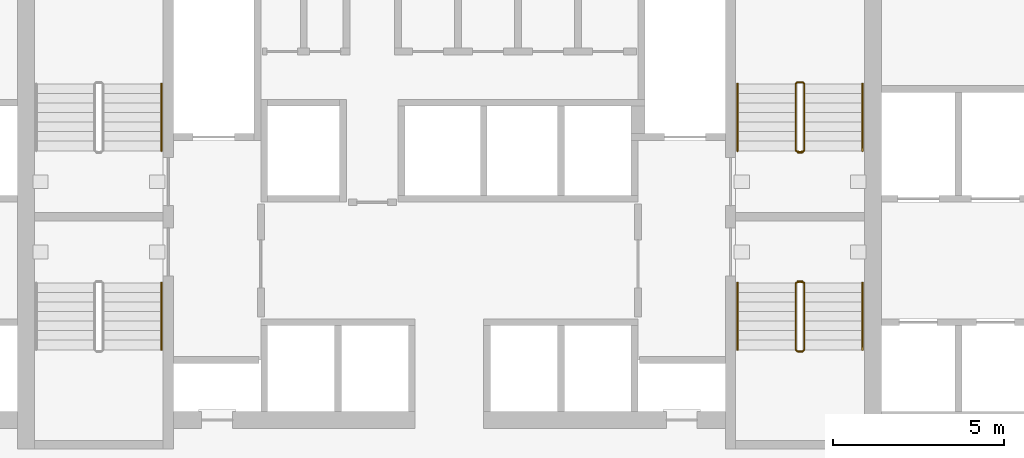
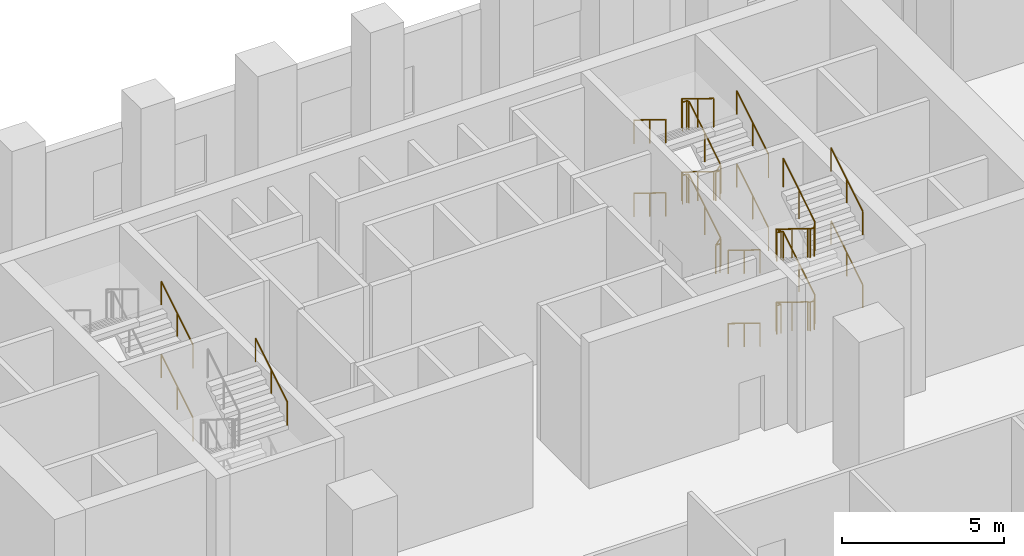
# One storey, part 20 of 22: 13 railings.
"""IFC4 building model written with IfcOpenShell, lengths in metres."""

from ifc_helpers import new_model, si_unit, direction, frame, origin, origin_2d, place, context, subcontext, project, spatial, circle, extrude, material, type_object, element, save


model = new_model("IFC4")

# Units and contexts
model_context = context("Model", 3, precision=1e-05, world=origin(), true_north=direction((0.0, 1.0)))
body_context = subcontext(model_context, "Body", "Model", "MODEL_VIEW")
ifc_project = project(units=[si_unit("LENGTHUNIT", "METRE"), si_unit("AREAUNIT", "SQUARE_METRE"), si_unit("VOLUMEUNIT", "CUBIC_METRE"), si_unit("PLANEANGLEUNIT", "RADIAN"), si_unit("MASSUNIT", "GRAM", prefix="KILO")], contexts=[model_context])

# Site, building, storey
site_placement = place(None, origin())
site = spatial("IfcSite", under=ifc_project, at=site_placement, CompositionType="ELEMENT")
building_placement = place(site_placement, origin())
building = spatial("IfcBuilding", under=site, at=building_placement, Name="Calabash Gate Tower", CompositionType="ELEMENT")
storey_placement = place(building_placement, frame((0.0, 0.0, 34.5)))
storey = spatial("IfcBuildingStorey", under=building, at=storey_placement, Name="L04", CompositionType="ELEMENT", Elevation=34.5)

# Railings
ifc_material_1 = material(Name="Black powder-coated steel balusters", Category="steel")
railing_type_1 = type_object("IfcRailingType", Name="Stair guard RL1100", PredefinedType="GUARDRAIL", material=ifc_material_1)
railing_1_placement = place(storey_placement, frame((10.300048828125, 13.902587890625, 0.0)))
element("IfcRailing", 1, at=railing_1_placement, inside=storey, type_object=railing_type_1, Name="L04 ST3 stair guard 1", PredefinedType="GUARDRAIL", context=body_context, shape_type="SweptSolid", body=[
    extrude(circle(Radius=0.02392578125, at=origin_2d()), frame((0.0, 0.0, 1.076171875), z_axis=(-1.0, 0.0, 0.0), x_axis=(0.0, -1.0, 0.0)), (0.0, 0.0, 1.0), 0.150146484375),
    extrude(circle(Radius=0.02392578125, at=origin_2d()), frame((-0.150146484375, 0.0, 1.076171875), z_axis=(0.745441916174, 0.186360479043, 0.6399891573), x_axis=(-0.242535625036, 0.970142500145, 0.0)), (0.0, 0.0, 1.0), 0.2685546875),
    extrude(circle(Radius=0.02392578125, at=origin_2d()), frame((0.050048828125, 0.050048828125, 1.248046875), z_axis=(0.0, 0.851395084437, 0.52452493763), x_axis=(-1.0, 0.0, 0.0)), (0.0, 0.0, 1.0), 2.293701171875),
    extrude(circle(Radius=0.02392578125, at=origin_2d()), frame((0.050048828125, 2.0029296875, 2.451171875), z_axis=(-0.707106781187, 0.707106781187, 0.0), x_axis=(-0.707106781187, -0.707106781187, 0.0)), (0.0, 0.0, 1.0), 0.07080078125),
    extrude(circle(Radius=0.02392578125, at=origin_2d()), frame((0.0, 2.052978515625, 2.451171875), z_axis=(-1.0, 0.0, 0.0), x_axis=(0.0, -1.0, 0.0)), (0.0, 0.0, 1.0), 0.150146484375),
    extrude(circle(Radius=0.02392578125, at=origin_2d()), frame((-0.150146484375, 2.052978515625, 2.451171875), z_axis=(-0.268036860282, -0.26935076646, 0.924989949209), x_axis=(0.708833529934, -0.705375805398, 0.0)), (0.0, 0.0, 1.0), 0.185791015625),
    extrude(circle(Radius=0.02392578125, at=origin_2d()), frame((-0.199951171875, 2.0029296875, 2.623046875), z_axis=(0.0, -0.851395084437, 0.52452493763), x_axis=(1.0, 0.0, 0.0)), (0.0, 0.0, 1.0), 2.293701171875),
    extrude(circle(Radius=0.02392578125, at=origin_2d()), frame((-0.199951171875, 0.050048828125, 3.826171875), z_axis=(0.970072785993, -0.242814311512, 0.0), x_axis=(0.242814311512, 0.970072785993, 0.0)), (0.0, 0.0, 1.0), 0.2060546875),
    extrude(circle(Radius=0.02392578125, at=origin_2d()), frame((0.0, 0.0, 3.826171875), z_axis=(-1.0, 0.0, 0.0), x_axis=(0.0, -1.0, 0.0)), (0.0, 0.0, 1.0), 0.150146484375),
    extrude(circle(Radius=0.02392578125, at=origin_2d()), frame((-0.150146484375, 0.0, 3.826171875), z_axis=(0.745441916174, 0.186360479043, 0.6399891573), x_axis=(-0.242535625036, 0.970142500145, 0.0)), (0.0, 0.0, 1.0), 0.2685546875),
    extrude(circle(Radius=0.02392578125, at=origin_2d()), frame((0.050048828125, 0.050048828125, 3.998046875), z_axis=(0.0, 0.851395084437, 0.52452493763), x_axis=(-1.0, 0.0, 0.0)), (0.0, 0.0, 1.0), 2.293701171875),
    extrude(circle(Radius=0.02392578125, at=origin_2d()), frame((0.050048828125, 2.0029296875, 5.201171875), z_axis=(-0.707106781187, 0.707106781187, 0.0), x_axis=(-0.707106781187, -0.707106781187, 0.0)), (0.0, 0.0, 1.0), 0.07080078125),
    extrude(circle(Radius=0.02392578125, at=origin_2d()), frame((0.0, 2.052978515625, 5.201171875), z_axis=(-1.0, 0.0, 0.0), x_axis=(0.0, -1.0, 0.0)), (0.0, 0.0, 1.0), 0.150146484375),
    extrude(circle(Radius=0.02392578125, at=origin_2d()), frame((-0.150146484375, 2.052978515625, 5.201171875), z_axis=(-0.268036860282, -0.26935076646, 0.924989949209), x_axis=(0.708833529934, -0.705375805398, 0.0)), (0.0, 0.0, 1.0), 0.185791015625),
    extrude(circle(Radius=0.02392578125, at=origin_2d()), frame((-0.199951171875, 2.0029296875, 5.373046875), z_axis=(0.0, -0.851395084437, 0.52452493763), x_axis=(1.0, 0.0, 0.0)), (0.0, 0.0, 1.0), 2.293701171875),
    extrude(circle(Radius=0.02099609375, at=origin_2d()), origin(), (0.0, 0.0, 1.0), 1.052001953125),
    extrude(circle(Radius=0.02099609375, at=origin_2d()), frame((-0.150146484375, 0.0, 0.0)), (0.0, 0.0, 1.0), 1.052001953125),
    extrude(circle(Radius=0.02099609375, at=origin_2d()), frame((0.050048828125, 0.050048828125, 0.171875)), (0.0, 0.0, 1.0), 1.052001953125),
    extrude(circle(Radius=0.02099609375, at=origin_2d()), frame((0.050048828125, 1.0263671875, 0.7734375)), (0.0, 0.0, 1.0), 1.052001953125),
    extrude(circle(Radius=0.02099609375, at=origin_2d()), frame((0.050048828125, 2.0029296875, 1.375)), (0.0, 0.0, 1.0), 1.052001953125),
    extrude(circle(Radius=0.02099609375, at=origin_2d()), frame((0.0, 2.052978515625, 1.375)), (0.0, 0.0, 1.0), 1.052001953125),
    extrude(circle(Radius=0.02099609375, at=origin_2d()), frame((-0.150146484375, 2.052978515625, 1.375)), (0.0, 0.0, 1.0), 1.052001953125),
    extrude(circle(Radius=0.02099609375, at=origin_2d()), frame((-0.199951171875, 2.0029296875, 1.546875)), (0.0, 0.0, 1.0), 1.052001953125),
    extrude(circle(Radius=0.02099609375, at=origin_2d()), frame((-0.199951171875, 1.0263671875, 2.1484375)), (0.0, 0.0, 1.0), 1.052001953125),
    extrude(circle(Radius=0.02099609375, at=origin_2d()), frame((-0.199951171875, 0.050048828125, 2.75)), (0.0, 0.0, 1.0), 1.052001953125),
    extrude(circle(Radius=0.02099609375, at=origin_2d()), frame((0.0, 0.0, 2.75)), (0.0, 0.0, 1.0), 1.052001953125),
    extrude(circle(Radius=0.02099609375, at=origin_2d()), frame((-0.150146484375, 0.0, 2.75)), (0.0, 0.0, 1.0), 1.052001953125),
    extrude(circle(Radius=0.02099609375, at=origin_2d()), frame((0.050048828125, 0.050048828125, 2.921875)), (0.0, 0.0, 1.0), 1.052001953125),
    extrude(circle(Radius=0.02099609375, at=origin_2d()), frame((0.050048828125, 1.0263671875, 3.5234375)), (0.0, 0.0, 1.0), 1.052001953125),
    extrude(circle(Radius=0.02099609375, at=origin_2d()), frame((0.050048828125, 2.0029296875, 4.125)), (0.0, 0.0, 1.0), 1.052001953125),
    extrude(circle(Radius=0.02099609375, at=origin_2d()), frame((0.0, 2.052978515625, 4.125)), (0.0, 0.0, 1.0), 1.052001953125),
    extrude(circle(Radius=0.02099609375, at=origin_2d()), frame((-0.150146484375, 2.052978515625, 4.125)), (0.0, 0.0, 1.0), 1.052001953125),
    extrude(circle(Radius=0.02099609375, at=origin_2d()), frame((-0.199951171875, 2.0029296875, 4.296875)), (0.0, 0.0, 1.0), 1.052001953125),
    extrude(circle(Radius=0.02099609375, at=origin_2d()), frame((-0.199951171875, 1.0263671875, 4.8984375)), (0.0, 0.0, 1.0), 1.052001953125),
    extrude(circle(Radius=0.02099609375, at=origin_2d()), frame((-0.199951171875, 0.050048828125, 5.5)), (0.0, 0.0, 1.0), 1.052001953125),
])
railing_2_placement = place(storey_placement, frame((10.14990234375, 10.152587890625, 0.0)))
element("IfcRailing", 2, at=railing_2_placement, inside=storey, type_object=railing_type_1, Name="L04 ST4 stair guard 1", PredefinedType="GUARDRAIL", context=body_context, shape_type="SweptSolid", body=[
    extrude(circle(Radius=0.02392578125, at=origin_2d()), frame((0.0, 0.0, 1.076171875), z_axis=(1.0, 0.0, 0.0), x_axis=(0.0, 1.0, 0.0)), (0.0, 0.0, 1.0), 0.150146484375),
    extrude(circle(Radius=0.02392578125, at=origin_2d()), frame((0.150146484375, 0.0, 1.076171875), z_axis=(-0.745037588186, -0.186486819998, 0.640423030626), x_axis=(0.242814311512, -0.970072785993, 0.0)), (0.0, 0.0, 1.0), 0.268310546875),
    extrude(circle(Radius=0.02392578125, at=origin_2d()), frame((-0.0498046875, -0.050048828125, 1.248046875), z_axis=(0.0, -0.851395084437, 0.52452493763), x_axis=(1.0, 0.0, 0.0)), (0.0, 0.0, 1.0), 2.293701171875),
    extrude(circle(Radius=0.02392578125, at=origin_2d()), frame((-0.0498046875, -2.0029296875, 2.451171875), z_axis=(0.705375805398, -0.708833529934, 0.0), x_axis=(0.708833529934, 0.705375805398, 0.0)), (0.0, 0.0, 1.0), 0.070556640625),
    extrude(circle(Radius=0.02392578125, at=origin_2d()), frame((0.0, -2.052978515625, 2.451171875), z_axis=(1.0, 0.0, 0.0), x_axis=(0.0, 1.0, 0.0)), (0.0, 0.0, 1.0), 0.150146484375),
    extrude(circle(Radius=0.02392578125, at=origin_2d()), frame((0.150146484375, -2.052978515625, 2.451171875), z_axis=(0.269255725606, 0.269255725606, 0.92466356501), x_axis=(-0.707106781187, 0.707106781187, 0.0)), (0.0, 0.0, 1.0), 0.185791015625),
    extrude(circle(Radius=0.02392578125, at=origin_2d()), frame((0.2001953125, -2.0029296875, 2.623046875), z_axis=(0.0, 0.851395084437, 0.52452493763), x_axis=(-1.0, 0.0, 0.0)), (0.0, 0.0, 1.0), 2.293701171875),
    extrude(circle(Radius=0.02392578125, at=origin_2d()), frame((0.2001953125, -0.050048828125, 3.826171875), z_axis=(-0.970142500145, 0.242535625036, 0.0), x_axis=(-0.242535625036, -0.970142500145, 0.0)), (0.0, 0.0, 1.0), 0.206298828125),
    extrude(circle(Radius=0.02392578125, at=origin_2d()), frame((0.0, 0.0, 3.826171875), z_axis=(1.0, 0.0, 0.0), x_axis=(0.0, 1.0, 0.0)), (0.0, 0.0, 1.0), 0.150146484375),
    extrude(circle(Radius=0.02392578125, at=origin_2d()), frame((0.150146484375, 0.0, 3.826171875), z_axis=(-0.745037588186, -0.186486819998, 0.640423030626), x_axis=(0.242814311512, -0.970072785993, 0.0)), (0.0, 0.0, 1.0), 0.268310546875),
    extrude(circle(Radius=0.02392578125, at=origin_2d()), frame((-0.0498046875, -0.050048828125, 3.998046875), z_axis=(0.0, -0.851395084437, 0.52452493763), x_axis=(1.0, 0.0, 0.0)), (0.0, 0.0, 1.0), 2.293701171875),
    extrude(circle(Radius=0.02392578125, at=origin_2d()), frame((-0.0498046875, -2.0029296875, 5.201171875), z_axis=(0.705375805398, -0.708833529934, 0.0), x_axis=(0.708833529934, 0.705375805398, 0.0)), (0.0, 0.0, 1.0), 0.070556640625),
    extrude(circle(Radius=0.02392578125, at=origin_2d()), frame((0.0, -2.052978515625, 5.201171875), z_axis=(1.0, 0.0, 0.0), x_axis=(0.0, 1.0, 0.0)), (0.0, 0.0, 1.0), 0.150146484375),
    extrude(circle(Radius=0.02392578125, at=origin_2d()), frame((0.150146484375, -2.052978515625, 5.201171875), z_axis=(0.269255725606, 0.269255725606, 0.92466356501), x_axis=(-0.707106781187, 0.707106781187, 0.0)), (0.0, 0.0, 1.0), 0.185791015625),
    extrude(circle(Radius=0.02392578125, at=origin_2d()), frame((0.2001953125, -2.0029296875, 5.373046875), z_axis=(0.0, 0.851395084437, 0.52452493763), x_axis=(-1.0, 0.0, 0.0)), (0.0, 0.0, 1.0), 2.293701171875),
    extrude(circle(Radius=0.02099609375, at=origin_2d()), origin(), (0.0, 0.0, 1.0), 1.052001953125),
    extrude(circle(Radius=0.02099609375, at=origin_2d()), frame((0.150146484375, 0.0, 0.0)), (0.0, 0.0, 1.0), 1.052001953125),
    extrude(circle(Radius=0.02099609375, at=origin_2d()), frame((-0.0498046875, -0.050048828125, 0.171875)), (0.0, 0.0, 1.0), 1.052001953125),
    extrude(circle(Radius=0.02099609375, at=origin_2d()), frame((-0.0498046875, -1.0263671875, 0.7734375)), (0.0, 0.0, 1.0), 1.052001953125),
    extrude(circle(Radius=0.02099609375, at=origin_2d()), frame((-0.0498046875, -2.0029296875, 1.375)), (0.0, 0.0, 1.0), 1.052001953125),
    extrude(circle(Radius=0.02099609375, at=origin_2d()), frame((0.0, -2.052978515625, 1.375)), (0.0, 0.0, 1.0), 1.052001953125),
    extrude(circle(Radius=0.02099609375, at=origin_2d()), frame((0.150146484375, -2.052978515625, 1.375)), (0.0, 0.0, 1.0), 1.052001953125),
    extrude(circle(Radius=0.02099609375, at=origin_2d()), frame((0.2001953125, -2.0029296875, 1.546875)), (0.0, 0.0, 1.0), 1.052001953125),
    extrude(circle(Radius=0.02099609375, at=origin_2d()), frame((0.2001953125, -1.0263671875, 2.1484375)), (0.0, 0.0, 1.0), 1.052001953125),
    extrude(circle(Radius=0.02099609375, at=origin_2d()), frame((0.2001953125, -0.050048828125, 2.75)), (0.0, 0.0, 1.0), 1.052001953125),
    extrude(circle(Radius=0.02099609375, at=origin_2d()), frame((0.0, 0.0, 2.75)), (0.0, 0.0, 1.0), 1.052001953125),
    extrude(circle(Radius=0.02099609375, at=origin_2d()), frame((0.150146484375, 0.0, 2.75)), (0.0, 0.0, 1.0), 1.052001953125),
    extrude(circle(Radius=0.02099609375, at=origin_2d()), frame((-0.0498046875, -0.050048828125, 2.921875)), (0.0, 0.0, 1.0), 1.052001953125),
    extrude(circle(Radius=0.02099609375, at=origin_2d()), frame((-0.0498046875, -1.0263671875, 3.5234375)), (0.0, 0.0, 1.0), 1.052001953125),
    extrude(circle(Radius=0.02099609375, at=origin_2d()), frame((-0.0498046875, -2.0029296875, 4.125)), (0.0, 0.0, 1.0), 1.052001953125),
    extrude(circle(Radius=0.02099609375, at=origin_2d()), frame((0.0, -2.052978515625, 4.125)), (0.0, 0.0, 1.0), 1.052001953125),
    extrude(circle(Radius=0.02099609375, at=origin_2d()), frame((0.150146484375, -2.052978515625, 4.125)), (0.0, 0.0, 1.0), 1.052001953125),
    extrude(circle(Radius=0.02099609375, at=origin_2d()), frame((0.2001953125, -2.0029296875, 4.296875)), (0.0, 0.0, 1.0), 1.052001953125),
    extrude(circle(Radius=0.02099609375, at=origin_2d()), frame((0.2001953125, -1.0263671875, 4.8984375)), (0.0, 0.0, 1.0), 1.052001953125),
    extrude(circle(Radius=0.02099609375, at=origin_2d()), frame((0.2001953125, -0.050048828125, 5.5)), (0.0, 0.0, 1.0), 1.052001953125),
])
ifc_material_2 = material(Name="Black powder-coated steel tube 48 mm", Category="steel")
railing_type_2 = type_object("IfcRailingType", Name="Stair handrail RL900", PredefinedType="HANDRAIL", material=ifc_material_2)
for number, where, name in (
    (3, (-8.39990234375, 13.95263671875, 0.171875), "L04 ST1 stair handrail 1"),
    (4, (-8.39990234375, 13.95263671875, 2.921875), "L04 ST1 stair handrail 3"),
    (5, (-8.39990234375, 8.149658203125, 4.296875), "L04 ST2 stair handrail 4"),
    (6, (12.050048828125, 13.95263671875, 0.171875), "L04 ST3 stair handrail 1"),
):
    element("IfcRailing", number, at=place(storey_placement, frame(where)), inside=storey, type_object=railing_type_2, Name=name, PredefinedType="HANDRAIL", context=body_context, shape_type="SweptSolid", body=[
        extrude(circle(Radius=0.02392578125, at=origin_2d()), frame((0.0, 0.0, 0.8759765625), z_axis=(0.0, 0.851395084437, 0.52452493763), x_axis=(-1.0, 0.0, 0.0)), (0.0, 0.0, 1.0), 2.293701171875),
        extrude(circle(Radius=0.02099609375, at=origin_2d()), origin(), (0.0, 0.0, 1.0), 0.851806640625),
        extrude(circle(Radius=0.02099609375, at=origin_2d()), frame((0.0, 0.9765625, 0.6015625)), (0.0, 0.0, 1.0), 0.851806640625),
        extrude(circle(Radius=0.02099609375, at=origin_2d()), frame((0.0, 1.952880859375, 1.203125)), (0.0, 0.0, 1.0), 0.851806640625),
    ])
railing_3_placement = place(storey_placement, frame((8.39990234375, 15.905517578125, 1.546875)))
element("IfcRailing", 7, at=railing_3_placement, inside=storey, type_object=railing_type_2, Name="L04 ST3 stair handrail 2", PredefinedType="HANDRAIL", context=body_context, shape_type="SweptSolid", body=[
    extrude(circle(Radius=0.02392578125, at=origin_2d()), frame((0.0, 0.0, 0.8759765625), z_axis=(0.0, -0.851395084437, 0.52452493763), x_axis=(1.0, 0.0, 0.0)), (0.0, 0.0, 1.0), 2.293701171875),
    extrude(circle(Radius=0.02099609375, at=origin_2d()), origin(), (0.0, 0.0, 1.0), 0.851806640625),
    extrude(circle(Radius=0.02099609375, at=origin_2d()), frame((0.0, -0.9765625, 0.6015625)), (0.0, 0.0, 1.0), 0.851806640625),
    extrude(circle(Radius=0.02099609375, at=origin_2d()), frame((0.0, -1.952880859375, 1.203125)), (0.0, 0.0, 1.0), 0.851806640625),
])
railing_4_placement = place(storey_placement, frame((12.050048828125, 13.95263671875, 2.921875)))
element("IfcRailing", 8, at=railing_4_placement, inside=storey, type_object=railing_type_2, Name="L04 ST3 stair handrail 3", PredefinedType="HANDRAIL", context=body_context, shape_type="SweptSolid", body=[
    extrude(circle(Radius=0.02392578125, at=origin_2d()), frame((0.0, 0.0, 0.8759765625), z_axis=(0.0, 0.851395084437, 0.52452493763), x_axis=(-1.0, 0.0, 0.0)), (0.0, 0.0, 1.0), 2.293701171875),
    extrude(circle(Radius=0.02099609375, at=origin_2d()), origin(), (0.0, 0.0, 1.0), 0.851806640625),
    extrude(circle(Radius=0.02099609375, at=origin_2d()), frame((0.0, 0.9765625, 0.6015625)), (0.0, 0.0, 1.0), 0.851806640625),
    extrude(circle(Radius=0.02099609375, at=origin_2d()), frame((0.0, 1.952880859375, 1.203125)), (0.0, 0.0, 1.0), 0.851806640625),
])
for number, where, name in (
    (9, (8.39990234375, 15.905517578125, 4.296875), "L04 ST3 stair handrail 4"),
    (10, (8.39990234375, 10.1025390625, 0.171875), "L04 ST4 stair handrail 1"),
):
    element("IfcRailing", number, at=place(storey_placement, frame(where)), inside=storey, type_object=railing_type_2, Name=name, PredefinedType="HANDRAIL", context=body_context, shape_type="SweptSolid", body=[
        extrude(circle(Radius=0.02392578125, at=origin_2d()), frame((0.0, 0.0, 0.8759765625), z_axis=(0.0, -0.851395084437, 0.52452493763), x_axis=(1.0, 0.0, 0.0)), (0.0, 0.0, 1.0), 2.293701171875),
        extrude(circle(Radius=0.02099609375, at=origin_2d()), origin(), (0.0, 0.0, 1.0), 0.851806640625),
        extrude(circle(Radius=0.02099609375, at=origin_2d()), frame((0.0, -0.9765625, 0.6015625)), (0.0, 0.0, 1.0), 0.851806640625),
        extrude(circle(Radius=0.02099609375, at=origin_2d()), frame((0.0, -1.952880859375, 1.203125)), (0.0, 0.0, 1.0), 0.851806640625),
    ])
railing_5_placement = place(storey_placement, frame((12.050048828125, 8.149658203125, 1.546875)))
element("IfcRailing", 11, at=railing_5_placement, inside=storey, type_object=railing_type_2, Name="L04 ST4 stair handrail 2", PredefinedType="HANDRAIL", context=body_context, shape_type="SweptSolid", body=[
    extrude(circle(Radius=0.02392578125, at=origin_2d()), frame((0.0, 0.0, 0.8759765625), z_axis=(0.0, 0.851395084437, 0.52452493763), x_axis=(-1.0, 0.0, 0.0)), (0.0, 0.0, 1.0), 2.293701171875),
    extrude(circle(Radius=0.02099609375, at=origin_2d()), origin(), (0.0, 0.0, 1.0), 0.851806640625),
    extrude(circle(Radius=0.02099609375, at=origin_2d()), frame((0.0, 0.9765625, 0.6015625)), (0.0, 0.0, 1.0), 0.851806640625),
    extrude(circle(Radius=0.02099609375, at=origin_2d()), frame((0.0, 1.952880859375, 1.203125)), (0.0, 0.0, 1.0), 0.851806640625),
])
railing_6_placement = place(storey_placement, frame((8.39990234375, 10.1025390625, 2.921875)))
element("IfcRailing", 12, at=railing_6_placement, inside=storey, type_object=railing_type_2, Name="L04 ST4 stair handrail 3", PredefinedType="HANDRAIL", context=body_context, shape_type="SweptSolid", body=[
    extrude(circle(Radius=0.02392578125, at=origin_2d()), frame((0.0, 0.0, 0.8759765625), z_axis=(0.0, -0.851395084437, 0.52452493763), x_axis=(1.0, 0.0, 0.0)), (0.0, 0.0, 1.0), 2.293701171875),
    extrude(circle(Radius=0.02099609375, at=origin_2d()), origin(), (0.0, 0.0, 1.0), 0.851806640625),
    extrude(circle(Radius=0.02099609375, at=origin_2d()), frame((0.0, -0.9765625, 0.6015625)), (0.0, 0.0, 1.0), 0.851806640625),
    extrude(circle(Radius=0.02099609375, at=origin_2d()), frame((0.0, -1.952880859375, 1.203125)), (0.0, 0.0, 1.0), 0.851806640625),
])
railing_7_placement = place(storey_placement, frame((12.050048828125, 8.149658203125, 4.296875)))
element("IfcRailing", 13, at=railing_7_placement, inside=storey, type_object=railing_type_2, Name="L04 ST4 stair handrail 4", PredefinedType="HANDRAIL", context=body_context, shape_type="SweptSolid", body=[
    extrude(circle(Radius=0.02392578125, at=origin_2d()), frame((0.0, 0.0, 0.8759765625), z_axis=(0.0, 0.851395084437, 0.52452493763), x_axis=(-1.0, 0.0, 0.0)), (0.0, 0.0, 1.0), 2.293701171875),
    extrude(circle(Radius=0.02099609375, at=origin_2d()), origin(), (0.0, 0.0, 1.0), 0.851806640625),
    extrude(circle(Radius=0.02099609375, at=origin_2d()), frame((0.0, 0.9765625, 0.6015625)), (0.0, 0.0, 1.0), 0.851806640625),
    extrude(circle(Radius=0.02099609375, at=origin_2d()), frame((0.0, 1.952880859375, 1.203125)), (0.0, 0.0, 1.0), 0.851806640625),
])

save(model, "model.ifc")
